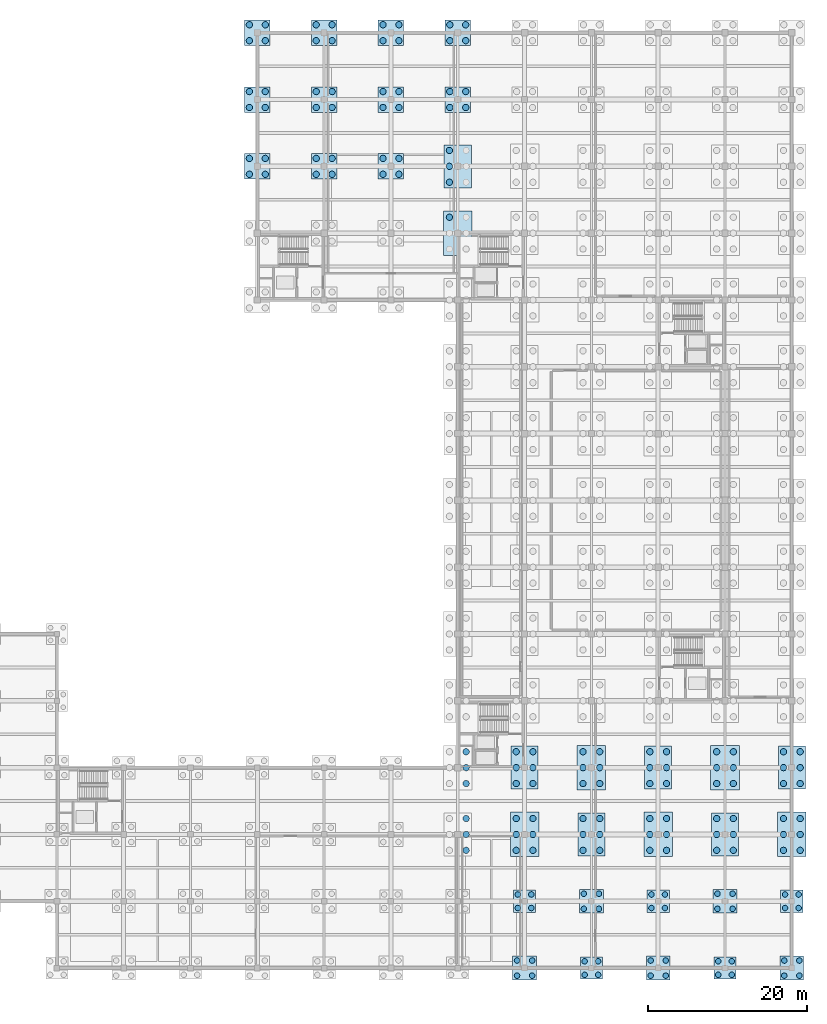
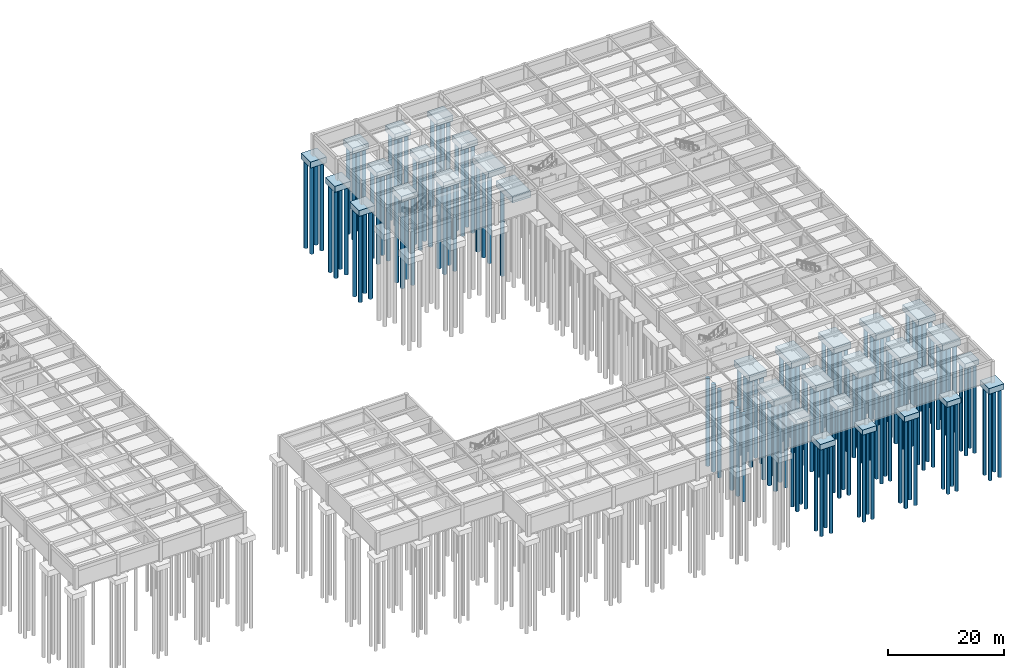
# One storey, part 4 of 33: 154 piles, 33 footings.
"""IFC4 building model written with IfcOpenShell, lengths in metres."""

from ifc_helpers import new_model, si_unit, direction, frame, origin, origin_2d, place, context, subcontext, project, spatial, rectangle, circle, extrude, material, material_profile, profile_set, type_object, element, save


model = new_model("IFC4")

# Units and contexts
model_context = context("Model", 3, precision=1e-05, world=origin(), true_north=direction((0.0, 1.0)))
body_context = subcontext(model_context, "Body", "Model", "MODEL_VIEW")
ifc_project = project(units=[si_unit("LENGTHUNIT", "METRE"), si_unit("AREAUNIT", "SQUARE_METRE"), si_unit("VOLUMEUNIT", "CUBIC_METRE"), si_unit("PLANEANGLEUNIT", "RADIAN"), si_unit("MASSUNIT", "GRAM", prefix="KILO")], contexts=[model_context])

# Site, building, storey
site_placement = place(None, origin())
site = spatial("IfcSite", under=ifc_project, at=site_placement, CompositionType="ELEMENT")
building_placement = place(site_placement, origin())
building = spatial("IfcBuilding", under=site, at=building_placement, Name="Kveldsbrygga Polytechnic", CompositionType="ELEMENT")
storey_placement = place(building_placement, frame((0.0, 0.0, -4.419921875)))
storey = spatial("IfcBuildingStorey", under=building, at=storey_placement, Name="B1", CompositionType="ELEMENT", Elevation=-4.419921875)

# Footings
ifc_material = material(Name="Concrete C45/55", Category="concrete")
footing_type_1 = type_object("IfcFootingType", Name="PC-4P-LRG", PredefinedType="PILE_CAP", material=ifc_material)
for number, where, z_axis, x_axis, name in (
    (1, (100.800048828125, 100.800048828125, -1.650146484375), (0.0, 0.0, 1.0), (1.0, 0.0, 0.0), "Foundation FND-12-12"),
    (2, (100.800048828125, 109.199951171875, -1.650146484375), (0.0, 0.0, 1.0), (1.0, 0.0, 0.0), "Foundation FND-12-13"),
    (3, (100.800048828125, 117.60009765625, -1.650146484375), (0.0, 0.0, 1.0), (1.0, 0.0, 0.0), "Foundation FND-12-14"),
    (4, (109.199951171875, 100.800048828125, -1.650146484375), (0.0, 0.0, 1.0), (1.0, 0.0, 0.0), "Foundation FND-13-12"),
    (5, (109.199951171875, 109.199951171875, -1.650146484375), (0.0, 0.0, 1.0), (1.0, 0.0, 0.0), "Foundation FND-13-13"),
    (6, (109.199951171875, 117.60009765625, -1.650146484375), (0.0, 0.0, 1.0), (1.0, 0.0, 0.0), "Foundation FND-13-14"),
    (7, (117.60009765625, 100.800048828125, -1.650146484375), (0.0, 0.0, 1.0), (1.0, 0.0, 0.0), "Foundation FND-14-12"),
    (8, (117.60009765625, 109.199951171875, -1.650146484375), (0.0, 0.0, 1.0), (1.0, 0.0, 0.0), "Foundation FND-14-13"),
    (9, (117.60009765625, 117.60009765625, -1.650146484375), (0.0, 0.0, 1.0), (1.0, 0.0, 0.0), "Foundation FND-14-14"),
    (10, (126.0, 109.199951171875, -1.650146484375), (0.0, 0.0, 1.0), (1.0, 0.0, 0.0), "Foundation FND-15-13"),
    (11, (126.0, 117.60009765625, -1.650146484375), (0.0, 0.0, 1.0), (1.0, 0.0, 0.0), "Foundation FND-15-14"),
):
    element("IfcFooting", number, at=place(storey_placement, frame(where, z_axis=z_axis, x_axis=x_axis)), inside=storey, type_object=footing_type_1, Name=name, PredefinedType="PILE_CAP", context=body_context, shape_type="SweptSolid", body=[
        extrude(rectangle(XDim=3.199951171875, YDim=3.199951171875, at=origin_2d()), origin(), (0.0, 0.0, 1.0), 1.25),
    ])
footing_type_2 = type_object("IfcFootingType", Name="PC-4P-MED", PredefinedType="PILE_CAP", material=ifc_material)
for number, where, z_axis, x_axis, name in (
    (12, (134.39990234375, 8.39990234375, -1.500244140625), (0.0, 0.0, 1.0), (1.0, 0.0, 0.0), "Foundation FND-16-01"),
    (13, (142.800048828125, 0.0, -1.500244140625), (0.0, 0.0, 1.0), (1.0, 0.0, 0.0), "Foundation FND-17-00"),
    (14, (151.199951171875, 8.39990234375, -1.500244140625), (0.0, 0.0, 1.0), (1.0, 0.0, 0.0), "Foundation FND-18-01"),
    (15, (159.60009765625, 0.0, -1.500244140625), (0.0, 0.0, 1.0), (1.0, 0.0, 0.0), "Foundation FND-19-00"),
    (16, (168.0, 8.39990234375, -1.500244140625), (0.0, 0.0, 1.0), (1.0, 0.0, 0.0), "Foundation FND-20-01"),
):
    element("IfcFooting", number, at=place(storey_placement, frame(where, z_axis=z_axis, x_axis=x_axis)), inside=storey, type_object=footing_type_2, Name=name, PredefinedType="PILE_CAP", context=body_context, shape_type="SweptSolid", body=[
        extrude(rectangle(XDim=2.800048828125, YDim=2.800048828125, at=origin_2d()), origin(), (0.0, 0.0, 1.0), 1.10009765625),
    ])
footing_type_3 = type_object("IfcFootingType", Name="PC-4P-STD", PredefinedType="PILE_CAP", material=ifc_material)
for number, where, z_axis, x_axis, name in (
    (17, (134.39990234375, 0.0, -1.60009765625), (0.0, 0.0, 1.0), (1.0, 0.0, 0.0), "Foundation FND-16-00"),
    (18, (142.800048828125, 8.39990234375, -1.60009765625), (0.0, 0.0, 1.0), (1.0, 0.0, 0.0), "Foundation FND-17-01"),
    (19, (151.199951171875, 0.0, -1.60009765625), (0.0, 0.0, 1.0), (1.0, 0.0, 0.0), "Foundation FND-18-00"),
    (20, (159.60009765625, 8.39990234375, -1.60009765625), (0.0, 0.0, 1.0), (1.0, 0.0, 0.0), "Foundation FND-19-01"),
    (21, (168.0, 0.0, -1.60009765625), (0.0, 0.0, 1.0), (1.0, 0.0, 0.0), "Foundation FND-20-00"),
):
    element("IfcFooting", number, at=place(storey_placement, frame(where, z_axis=z_axis, x_axis=x_axis)), inside=storey, type_object=footing_type_3, Name=name, PredefinedType="PILE_CAP", context=body_context, shape_type="SweptSolid", body=[
        extrude(rectangle(XDim=3.0, YDim=3.0, at=origin_2d()), origin(), (0.0, 0.0, 1.0), 1.199951171875),
    ])
footing_type_4 = type_object("IfcFootingType", Name="PC-6P-CORE", PredefinedType="PILE_CAP", material=ifc_material)
for number, where, z_axis, x_axis, name in (
    (22, (126.0, 92.39990234375, -1.750244140625), (0.0, 0.0, 1.0), (1.0, 0.0, 0.0), "Foundation FND-15-11"),
    (23, (134.39990234375, 16.800048828125, -1.750244140625), (0.0, 0.0, 1.0), (1.0, 0.0, 0.0), "Foundation FND-16-02"),
    (24, (142.800048828125, 25.199951171875, -1.750244140625), (0.0, 0.0, 1.0), (1.0, 0.0, 0.0), "Foundation FND-17-03"),
    (25, (151.199951171875, 16.800048828125, -1.750244140625), (0.0, 0.0, 1.0), (1.0, 0.0, 0.0), "Foundation FND-18-02"),
    (26, (159.60009765625, 25.199951171875, -1.750244140625), (0.0, 0.0, 1.0), (1.0, 0.0, 0.0), "Foundation FND-19-03"),
    (27, (168.0, 16.800048828125, -1.750244140625), (0.0, 0.0, 1.0), (1.0, 0.0, 0.0), "Foundation FND-20-02"),
):
    element("IfcFooting", number, at=place(storey_placement, frame(where, z_axis=z_axis, x_axis=x_axis)), inside=storey, type_object=footing_type_4, Name=name, PredefinedType="PILE_CAP", context=body_context, shape_type="SweptSolid", body=[
        extrude(rectangle(XDim=3.60009765625, YDim=5.60009765625, at=origin_2d()), origin(), (0.0, 0.0, 1.0), 1.35009765625),
    ])
footing_type_5 = type_object("IfcFootingType", Name="PC-6P-HEAVY", PredefinedType="PILE_CAP", material=ifc_material)
for number, where, z_axis, x_axis, name in (
    (28, (126.0, 100.800048828125, -1.7001953125), (0.0, 0.0, 1.0), (1.0, 0.0, 0.0), "Foundation FND-15-12"),
    (29, (134.39990234375, 25.199951171875, -1.7001953125), (0.0, 0.0, 1.0), (1.0, 0.0, 0.0), "Foundation FND-16-03"),
    (30, (142.800048828125, 16.800048828125, -1.7001953125), (0.0, 0.0, 1.0), (1.0, 0.0, 0.0), "Foundation FND-17-02"),
    (31, (151.199951171875, 25.199951171875, -1.7001953125), (0.0, 0.0, 1.0), (1.0, 0.0, 0.0), "Foundation FND-18-03"),
    (32, (159.60009765625, 16.800048828125, -1.7001953125), (0.0, 0.0, 1.0), (1.0, 0.0, 0.0), "Foundation FND-19-02"),
    (33, (168.0, 25.199951171875, -1.7001953125), (0.0, 0.0, 1.0), (1.0, 0.0, 0.0), "Foundation FND-20-03"),
):
    element("IfcFooting", number, at=place(storey_placement, frame(where, z_axis=z_axis, x_axis=x_axis)), inside=storey, type_object=footing_type_5, Name=name, PredefinedType="PILE_CAP", context=body_context, shape_type="SweptSolid", body=[
        extrude(rectangle(XDim=3.39990234375, YDim=5.39990234375, at=origin_2d()), origin(), (0.0, 0.0, 1.0), 1.300048828125),
    ])

# Piles
ifc_material_profile_1 = material_profile(ifc_material, circle(Radius=0.35009765625, at=origin_2d()), Name="PILE D700")
ifc_profile_set_1 = profile_set([ifc_material_profile_1], Name="Concrete C45/55")
pile_type_1 = type_object("IfcPileType", Name="PILE-D700", PredefinedType="BORED", material=ifc_profile_set_1)
for number, where, z_axis, x_axis, name in (
    (34, (133.449951171875, -0.949951171875, -1.4501953125), (0.0, 0.0, -1.0), (1.0, 0.0, 0.0), "Bored Pile PIL-16-00-1"),
    (35, (135.35009765625, -0.949951171875, -1.4501953125), (0.0, 0.0, -1.0), (1.0, 0.0, 0.0), "Bored Pile PIL-16-00-2"),
    (36, (133.449951171875, 0.949951171875, -1.4501953125), (0.0, 0.0, -1.0), (1.0, 0.0, 0.0), "Bored Pile PIL-16-00-3"),
    (37, (135.35009765625, 0.949951171875, -1.4501953125), (0.0, 0.0, -1.0), (1.0, 0.0, 0.0), "Bored Pile PIL-16-00-4"),
):
    element("IfcPile", number, at=place(storey_placement, frame(where, z_axis=z_axis, x_axis=x_axis)), inside=storey, type_object=pile_type_1, Name=name, PredefinedType="BORED", context=body_context, shape_type="SweptSolid", body=[
        extrude(circle(Radius=0.35009765625, at=origin_2d()), origin(), (0.0, 0.0, 1.0), 18.6298828125),
    ])
for number, where, z_axis, x_axis, name in (
    (38, (133.550048828125, 7.550048828125, -1.35009765625), (0.0, 0.0, -1.0), (1.0, 0.0, 0.0), "Bored Pile PIL-16-01-1"),
    (39, (135.25, 7.550048828125, -1.35009765625), (0.0, 0.0, -1.0), (1.0, 0.0, 0.0), "Bored Pile PIL-16-01-2"),
    (40, (133.550048828125, 9.25, -1.35009765625), (0.0, 0.0, -1.0), (1.0, 0.0, 0.0), "Bored Pile PIL-16-01-3"),
    (41, (135.25, 9.25, -1.35009765625), (0.0, 0.0, -1.0), (1.0, 0.0, 0.0), "Bored Pile PIL-16-01-4"),
    (42, (141.949951171875, -0.85009765625, -1.35009765625), (0.0, 0.0, -1.0), (1.0, 0.0, 0.0), "Bored Pile PIL-17-00-1"),
    (43, (143.64990234375, -0.85009765625, -1.35009765625), (0.0, 0.0, -1.0), (1.0, 0.0, 0.0), "Bored Pile PIL-17-00-2"),
    (44, (141.949951171875, 0.85009765625, -1.35009765625), (0.0, 0.0, -1.0), (1.0, 0.0, 0.0), "Bored Pile PIL-17-00-3"),
    (45, (143.64990234375, 0.85009765625, -1.35009765625), (0.0, 0.0, -1.0), (1.0, 0.0, 0.0), "Bored Pile PIL-17-00-4"),
):
    element("IfcPile", number, at=place(storey_placement, frame(where, z_axis=z_axis, x_axis=x_axis)), inside=storey, type_object=pile_type_1, Name=name, PredefinedType="BORED", context=body_context, shape_type="SweptSolid", body=[
        extrude(circle(Radius=0.35009765625, at=origin_2d()), origin(), (0.0, 0.0, 1.0), 18.72998046875),
    ])
for number, where, z_axis, x_axis, name in (
    (46, (141.85009765625, 7.449951171875, -1.4501953125), (0.0, 0.0, -1.0), (1.0, 0.0, 0.0), "Bored Pile PIL-17-01-1"),
    (47, (143.75, 7.449951171875, -1.4501953125), (0.0, 0.0, -1.0), (1.0, 0.0, 0.0), "Bored Pile PIL-17-01-2"),
    (48, (141.85009765625, 9.35009765625, -1.4501953125), (0.0, 0.0, -1.0), (1.0, 0.0, 0.0), "Bored Pile PIL-17-01-3"),
    (49, (143.75, 9.35009765625, -1.4501953125), (0.0, 0.0, -1.0), (1.0, 0.0, 0.0), "Bored Pile PIL-17-01-4"),
    (50, (150.25, -0.949951171875, -1.4501953125), (0.0, 0.0, -1.0), (1.0, 0.0, 0.0), "Bored Pile PIL-18-00-1"),
    (51, (152.14990234375, -0.949951171875, -1.4501953125), (0.0, 0.0, -1.0), (1.0, 0.0, 0.0), "Bored Pile PIL-18-00-2"),
    (52, (150.25, 0.949951171875, -1.4501953125), (0.0, 0.0, -1.0), (1.0, 0.0, 0.0), "Bored Pile PIL-18-00-3"),
    (53, (152.14990234375, 0.949951171875, -1.4501953125), (0.0, 0.0, -1.0), (1.0, 0.0, 0.0), "Bored Pile PIL-18-00-4"),
):
    element("IfcPile", number, at=place(storey_placement, frame(where, z_axis=z_axis, x_axis=x_axis)), inside=storey, type_object=pile_type_1, Name=name, PredefinedType="BORED", context=body_context, shape_type="SweptSolid", body=[
        extrude(circle(Radius=0.35009765625, at=origin_2d()), origin(), (0.0, 0.0, 1.0), 18.6298828125),
    ])
for number, where, z_axis, x_axis, name in (
    (54, (150.35009765625, 7.550048828125, -1.35009765625), (0.0, 0.0, -1.0), (1.0, 0.0, 0.0), "Bored Pile PIL-18-01-1"),
    (55, (152.050048828125, 7.550048828125, -1.35009765625), (0.0, 0.0, -1.0), (1.0, 0.0, 0.0), "Bored Pile PIL-18-01-2"),
    (56, (150.35009765625, 9.25, -1.35009765625), (0.0, 0.0, -1.0), (1.0, 0.0, 0.0), "Bored Pile PIL-18-01-3"),
    (57, (152.050048828125, 9.25, -1.35009765625), (0.0, 0.0, -1.0), (1.0, 0.0, 0.0), "Bored Pile PIL-18-01-4"),
    (58, (158.75, -0.85009765625, -1.35009765625), (0.0, 0.0, -1.0), (1.0, 0.0, 0.0), "Bored Pile PIL-19-00-1"),
    (59, (160.449951171875, -0.85009765625, -1.35009765625), (0.0, 0.0, -1.0), (1.0, 0.0, 0.0), "Bored Pile PIL-19-00-2"),
    (60, (158.75, 0.85009765625, -1.35009765625), (0.0, 0.0, -1.0), (1.0, 0.0, 0.0), "Bored Pile PIL-19-00-3"),
    (61, (160.449951171875, 0.85009765625, -1.35009765625), (0.0, 0.0, -1.0), (1.0, 0.0, 0.0), "Bored Pile PIL-19-00-4"),
):
    element("IfcPile", number, at=place(storey_placement, frame(where, z_axis=z_axis, x_axis=x_axis)), inside=storey, type_object=pile_type_1, Name=name, PredefinedType="BORED", context=body_context, shape_type="SweptSolid", body=[
        extrude(circle(Radius=0.35009765625, at=origin_2d()), origin(), (0.0, 0.0, 1.0), 18.72998046875),
    ])
for number, where, z_axis, x_axis, name in (
    (62, (158.64990234375, 7.449951171875, -1.4501953125), (0.0, 0.0, -1.0), (1.0, 0.0, 0.0), "Bored Pile PIL-19-01-1"),
    (63, (160.550048828125, 7.449951171875, -1.4501953125), (0.0, 0.0, -1.0), (1.0, 0.0, 0.0), "Bored Pile PIL-19-01-2"),
    (64, (158.64990234375, 9.35009765625, -1.4501953125), (0.0, 0.0, -1.0), (1.0, 0.0, 0.0), "Bored Pile PIL-19-01-3"),
    (65, (160.550048828125, 9.35009765625, -1.4501953125), (0.0, 0.0, -1.0), (1.0, 0.0, 0.0), "Bored Pile PIL-19-01-4"),
    (66, (167.050048828125, -0.949951171875, -1.4501953125), (0.0, 0.0, -1.0), (1.0, 0.0, 0.0), "Bored Pile PIL-20-00-1"),
    (67, (168.949951171875, -0.949951171875, -1.4501953125), (0.0, 0.0, -1.0), (1.0, 0.0, 0.0), "Bored Pile PIL-20-00-2"),
    (68, (167.050048828125, 0.949951171875, -1.4501953125), (0.0, 0.0, -1.0), (1.0, 0.0, 0.0), "Bored Pile PIL-20-00-3"),
    (69, (168.949951171875, 0.949951171875, -1.4501953125), (0.0, 0.0, -1.0), (1.0, 0.0, 0.0), "Bored Pile PIL-20-00-4"),
):
    element("IfcPile", number, at=place(storey_placement, frame(where, z_axis=z_axis, x_axis=x_axis)), inside=storey, type_object=pile_type_1, Name=name, PredefinedType="BORED", context=body_context, shape_type="SweptSolid", body=[
        extrude(circle(Radius=0.35009765625, at=origin_2d()), origin(), (0.0, 0.0, 1.0), 18.6298828125),
    ])
for number, where, z_axis, x_axis, name in (
    (70, (167.14990234375, 7.550048828125, -1.35009765625), (0.0, 0.0, -1.0), (1.0, 0.0, 0.0), "Bored Pile PIL-20-01-1"),
    (71, (168.85009765625, 7.550048828125, -1.35009765625), (0.0, 0.0, -1.0), (1.0, 0.0, 0.0), "Bored Pile PIL-20-01-2"),
    (72, (167.14990234375, 9.25, -1.35009765625), (0.0, 0.0, -1.0), (1.0, 0.0, 0.0), "Bored Pile PIL-20-01-3"),
    (73, (168.85009765625, 9.25, -1.35009765625), (0.0, 0.0, -1.0), (1.0, 0.0, 0.0), "Bored Pile PIL-20-01-4"),
):
    element("IfcPile", number, at=place(storey_placement, frame(where, z_axis=z_axis, x_axis=x_axis)), inside=storey, type_object=pile_type_1, Name=name, PredefinedType="BORED", context=body_context, shape_type="SweptSolid", body=[
        extrude(circle(Radius=0.35009765625, at=origin_2d()), origin(), (0.0, 0.0, 1.0), 18.72998046875),
    ])
ifc_material_profile_2 = material_profile(ifc_material, circle(Radius=0.39990234375, at=origin_2d()), Name="PILE D800")
ifc_profile_set_2 = profile_set([ifc_material_profile_2], Name="Concrete C45/55")
pile_type_2 = type_object("IfcPileType", Name="PILE-D800", PredefinedType="BORED", material=ifc_profile_set_2)
for number, where, z_axis, x_axis, name in (
    (74, (99.800048828125, 99.800048828125, -1.5), (0.0, 0.0, -1.0), (1.0, 0.0, 0.0), "Bored Pile PIL-12-12-1"),
    (75, (101.800048828125, 99.800048828125, -1.5), (0.0, 0.0, -1.0), (1.0, 0.0, 0.0), "Bored Pile PIL-12-12-2"),
    (76, (99.800048828125, 101.800048828125, -1.5), (0.0, 0.0, -1.0), (1.0, 0.0, 0.0), "Bored Pile PIL-12-12-3"),
    (77, (101.800048828125, 101.800048828125, -1.5), (0.0, 0.0, -1.0), (1.0, 0.0, 0.0), "Bored Pile PIL-12-12-4"),
    (78, (99.800048828125, 108.199951171875, -1.5), (0.0, 0.0, -1.0), (1.0, 0.0, 0.0), "Bored Pile PIL-12-13-1"),
    (79, (101.800048828125, 108.199951171875, -1.5), (0.0, 0.0, -1.0), (1.0, 0.0, 0.0), "Bored Pile PIL-12-13-2"),
    (80, (99.800048828125, 110.199951171875, -1.5), (0.0, 0.0, -1.0), (1.0, 0.0, 0.0), "Bored Pile PIL-12-13-3"),
    (81, (101.800048828125, 110.199951171875, -1.5), (0.0, 0.0, -1.0), (1.0, 0.0, 0.0), "Bored Pile PIL-12-13-4"),
    (82, (99.800048828125, 116.60009765625, -1.5), (0.0, 0.0, -1.0), (1.0, 0.0, 0.0), "Bored Pile PIL-12-14-1"),
    (83, (101.800048828125, 116.60009765625, -1.5), (0.0, 0.0, -1.0), (1.0, 0.0, 0.0), "Bored Pile PIL-12-14-2"),
    (84, (99.800048828125, 118.60009765625, -1.5), (0.0, 0.0, -1.0), (1.0, 0.0, 0.0), "Bored Pile PIL-12-14-3"),
    (85, (101.800048828125, 118.60009765625, -1.5), (0.0, 0.0, -1.0), (1.0, 0.0, 0.0), "Bored Pile PIL-12-14-4"),
    (86, (108.199951171875, 99.800048828125, -1.5), (0.0, 0.0, -1.0), (1.0, 0.0, 0.0), "Bored Pile PIL-13-12-1"),
    (87, (110.199951171875, 99.800048828125, -1.5), (0.0, 0.0, -1.0), (1.0, 0.0, 0.0), "Bored Pile PIL-13-12-2"),
    (88, (108.199951171875, 101.800048828125, -1.5), (0.0, 0.0, -1.0), (1.0, 0.0, 0.0), "Bored Pile PIL-13-12-3"),
    (89, (110.199951171875, 101.800048828125, -1.5), (0.0, 0.0, -1.0), (1.0, 0.0, 0.0), "Bored Pile PIL-13-12-4"),
    (90, (108.199951171875, 108.199951171875, -1.5), (0.0, 0.0, -1.0), (1.0, 0.0, 0.0), "Bored Pile PIL-13-13-1"),
    (91, (110.199951171875, 108.199951171875, -1.5), (0.0, 0.0, -1.0), (1.0, 0.0, 0.0), "Bored Pile PIL-13-13-2"),
    (92, (108.199951171875, 110.199951171875, -1.5), (0.0, 0.0, -1.0), (1.0, 0.0, 0.0), "Bored Pile PIL-13-13-3"),
    (93, (110.199951171875, 110.199951171875, -1.5), (0.0, 0.0, -1.0), (1.0, 0.0, 0.0), "Bored Pile PIL-13-13-4"),
    (94, (108.199951171875, 116.60009765625, -1.5), (0.0, 0.0, -1.0), (1.0, 0.0, 0.0), "Bored Pile PIL-13-14-1"),
    (95, (110.199951171875, 116.60009765625, -1.5), (0.0, 0.0, -1.0), (1.0, 0.0, 0.0), "Bored Pile PIL-13-14-2"),
    (96, (108.199951171875, 118.60009765625, -1.5), (0.0, 0.0, -1.0), (1.0, 0.0, 0.0), "Bored Pile PIL-13-14-3"),
    (97, (110.199951171875, 118.60009765625, -1.5), (0.0, 0.0, -1.0), (1.0, 0.0, 0.0), "Bored Pile PIL-13-14-4"),
    (98, (116.60009765625, 99.800048828125, -1.5), (0.0, 0.0, -1.0), (1.0, 0.0, 0.0), "Bored Pile PIL-14-12-1"),
    (99, (118.60009765625, 99.800048828125, -1.5), (0.0, 0.0, -1.0), (1.0, 0.0, 0.0), "Bored Pile PIL-14-12-2"),
    (100, (116.60009765625, 101.800048828125, -1.5), (0.0, 0.0, -1.0), (1.0, 0.0, 0.0), "Bored Pile PIL-14-12-3"),
    (101, (118.60009765625, 101.800048828125, -1.5), (0.0, 0.0, -1.0), (1.0, 0.0, 0.0), "Bored Pile PIL-14-12-4"),
    (102, (116.60009765625, 108.199951171875, -1.5), (0.0, 0.0, -1.0), (1.0, 0.0, 0.0), "Bored Pile PIL-14-13-1"),
    (103, (118.60009765625, 108.199951171875, -1.5), (0.0, 0.0, -1.0), (1.0, 0.0, 0.0), "Bored Pile PIL-14-13-2"),
    (104, (116.60009765625, 110.199951171875, -1.5), (0.0, 0.0, -1.0), (1.0, 0.0, 0.0), "Bored Pile PIL-14-13-3"),
    (105, (118.60009765625, 110.199951171875, -1.5), (0.0, 0.0, -1.0), (1.0, 0.0, 0.0), "Bored Pile PIL-14-13-4"),
    (106, (116.60009765625, 116.60009765625, -1.5), (0.0, 0.0, -1.0), (1.0, 0.0, 0.0), "Bored Pile PIL-14-14-1"),
    (107, (118.60009765625, 116.60009765625, -1.5), (0.0, 0.0, -1.0), (1.0, 0.0, 0.0), "Bored Pile PIL-14-14-2"),
    (108, (116.60009765625, 118.60009765625, -1.5), (0.0, 0.0, -1.0), (1.0, 0.0, 0.0), "Bored Pile PIL-14-14-3"),
    (109, (118.60009765625, 118.60009765625, -1.5), (0.0, 0.0, -1.0), (1.0, 0.0, 0.0), "Bored Pile PIL-14-14-4"),
):
    element("IfcPile", number, at=place(storey_placement, frame(where, z_axis=z_axis, x_axis=x_axis)), inside=storey, type_object=pile_type_2, Name=name, PredefinedType="BORED", context=body_context, shape_type="SweptSolid", body=[
        extrude(circle(Radius=0.39990234375, at=origin_2d()), origin(), (0.0, 0.0, 1.0), 18.580078125),
    ])
for number, where, z_axis, x_axis, name in (
    (110, (127.050048828125, 14.800048828125, -1.550048828125), (0.0, 0.0, -1.0), (1.0, 0.0, 0.0), "Bored Pile PIL-15-02-2"),
    (111, (127.050048828125, 16.800048828125, -1.550048828125), (0.0, 0.0, -1.0), (1.0, 0.0, 0.0), "Bored Pile PIL-15-02-4"),
    (112, (127.050048828125, 18.800048828125, -1.550048828125), (0.0, 0.0, -1.0), (1.0, 0.0, 0.0), "Bored Pile PIL-15-02-6"),
):
    element("IfcPile", number, at=place(storey_placement, frame(where, z_axis=z_axis, x_axis=x_axis)), inside=storey, type_object=pile_type_2, Name=name, PredefinedType="BORED", context=body_context, shape_type="SweptSolid", body=[
        extrude(circle(Radius=0.39990234375, at=origin_2d()), origin(), (0.0, 0.0, 1.0), 18.530029296875),
    ])
for number, where, z_axis, x_axis, name in (
    (113, (127.050048828125, 23.199951171875, -1.60009765625), (0.0, 0.0, -1.0), (1.0, 0.0, 0.0), "Bored Pile PIL-15-03-2"),
    (114, (127.050048828125, 25.199951171875, -1.60009765625), (0.0, 0.0, -1.0), (1.0, 0.0, 0.0), "Bored Pile PIL-15-03-4"),
    (115, (127.050048828125, 27.199951171875, -1.60009765625), (0.0, 0.0, -1.0), (1.0, 0.0, 0.0), "Bored Pile PIL-15-03-6"),
    (116, (124.949951171875, 94.39990234375, -1.60009765625), (0.0, 0.0, -1.0), (1.0, 0.0, 0.0), "Bored Pile PIL-15-11-5"),
):
    element("IfcPile", number, at=place(storey_placement, frame(where, z_axis=z_axis, x_axis=x_axis)), inside=storey, type_object=pile_type_2, Name=name, PredefinedType="BORED", context=body_context, shape_type="SweptSolid", body=[
        extrude(circle(Radius=0.39990234375, at=origin_2d()), origin(), (0.0, 0.0, 1.0), 18.47998046875),
    ])
for number, where, z_axis, x_axis, name in (
    (117, (124.949951171875, 98.800048828125, -1.550048828125), (0.0, 0.0, -1.0), (1.0, 0.0, 0.0), "Bored Pile PIL-15-12-1"),
    (118, (124.949951171875, 100.800048828125, -1.550048828125), (0.0, 0.0, -1.0), (1.0, 0.0, 0.0), "Bored Pile PIL-15-12-3"),
    (119, (124.949951171875, 102.800048828125, -1.550048828125), (0.0, 0.0, -1.0), (1.0, 0.0, 0.0), "Bored Pile PIL-15-12-5"),
):
    element("IfcPile", number, at=place(storey_placement, frame(where, z_axis=z_axis, x_axis=x_axis)), inside=storey, type_object=pile_type_2, Name=name, PredefinedType="BORED", context=body_context, shape_type="SweptSolid", body=[
        extrude(circle(Radius=0.39990234375, at=origin_2d()), origin(), (0.0, 0.0, 1.0), 18.530029296875),
    ])
for number, where, z_axis, x_axis, name in (
    (120, (125.0, 108.199951171875, -1.5), (0.0, 0.0, -1.0), (1.0, 0.0, 0.0), "Bored Pile PIL-15-13-1"),
    (121, (127.0, 108.199951171875, -1.5), (0.0, 0.0, -1.0), (1.0, 0.0, 0.0), "Bored Pile PIL-15-13-2"),
    (122, (125.0, 110.199951171875, -1.5), (0.0, 0.0, -1.0), (1.0, 0.0, 0.0), "Bored Pile PIL-15-13-3"),
    (123, (127.0, 110.199951171875, -1.5), (0.0, 0.0, -1.0), (1.0, 0.0, 0.0), "Bored Pile PIL-15-13-4"),
    (124, (125.0, 116.60009765625, -1.5), (0.0, 0.0, -1.0), (1.0, 0.0, 0.0), "Bored Pile PIL-15-14-1"),
    (125, (127.0, 116.60009765625, -1.5), (0.0, 0.0, -1.0), (1.0, 0.0, 0.0), "Bored Pile PIL-15-14-2"),
    (126, (125.0, 118.60009765625, -1.5), (0.0, 0.0, -1.0), (1.0, 0.0, 0.0), "Bored Pile PIL-15-14-3"),
    (127, (127.0, 118.60009765625, -1.5), (0.0, 0.0, -1.0), (1.0, 0.0, 0.0), "Bored Pile PIL-15-14-4"),
):
    element("IfcPile", number, at=place(storey_placement, frame(where, z_axis=z_axis, x_axis=x_axis)), inside=storey, type_object=pile_type_2, Name=name, PredefinedType="BORED", context=body_context, shape_type="SweptSolid", body=[
        extrude(circle(Radius=0.39990234375, at=origin_2d()), origin(), (0.0, 0.0, 1.0), 18.580078125),
    ])
for number, where, z_axis, x_axis, name in (
    (128, (133.35009765625, 14.800048828125, -1.60009765625), (0.0, 0.0, -1.0), (1.0, 0.0, 0.0), "Bored Pile PIL-16-02-1"),
    (129, (135.449951171875, 14.800048828125, -1.60009765625), (0.0, 0.0, -1.0), (1.0, 0.0, 0.0), "Bored Pile PIL-16-02-2"),
    (130, (133.35009765625, 16.800048828125, -1.60009765625), (0.0, 0.0, -1.0), (1.0, 0.0, 0.0), "Bored Pile PIL-16-02-3"),
    (131, (135.449951171875, 16.800048828125, -1.60009765625), (0.0, 0.0, -1.0), (1.0, 0.0, 0.0), "Bored Pile PIL-16-02-4"),
    (132, (133.35009765625, 18.800048828125, -1.60009765625), (0.0, 0.0, -1.0), (1.0, 0.0, 0.0), "Bored Pile PIL-16-02-5"),
    (133, (135.449951171875, 18.800048828125, -1.60009765625), (0.0, 0.0, -1.0), (1.0, 0.0, 0.0), "Bored Pile PIL-16-02-6"),
):
    element("IfcPile", number, at=place(storey_placement, frame(where, z_axis=z_axis, x_axis=x_axis)), inside=storey, type_object=pile_type_2, Name=name, PredefinedType="BORED", context=body_context, shape_type="SweptSolid", body=[
        extrude(circle(Radius=0.39990234375, at=origin_2d()), origin(), (0.0, 0.0, 1.0), 18.47998046875),
    ])
for number, where, z_axis, x_axis, name in (
    (134, (133.35009765625, 23.199951171875, -1.550048828125), (0.0, 0.0, -1.0), (1.0, 0.0, 0.0), "Bored Pile PIL-16-03-1"),
    (135, (135.449951171875, 23.199951171875, -1.550048828125), (0.0, 0.0, -1.0), (1.0, 0.0, 0.0), "Bored Pile PIL-16-03-2"),
    (136, (133.35009765625, 25.199951171875, -1.550048828125), (0.0, 0.0, -1.0), (1.0, 0.0, 0.0), "Bored Pile PIL-16-03-3"),
    (137, (135.449951171875, 25.199951171875, -1.550048828125), (0.0, 0.0, -1.0), (1.0, 0.0, 0.0), "Bored Pile PIL-16-03-4"),
    (138, (133.35009765625, 27.199951171875, -1.550048828125), (0.0, 0.0, -1.0), (1.0, 0.0, 0.0), "Bored Pile PIL-16-03-5"),
    (139, (135.449951171875, 27.199951171875, -1.550048828125), (0.0, 0.0, -1.0), (1.0, 0.0, 0.0), "Bored Pile PIL-16-03-6"),
    (140, (141.75, 14.800048828125, -1.550048828125), (0.0, 0.0, -1.0), (1.0, 0.0, 0.0), "Bored Pile PIL-17-02-1"),
    (141, (143.85009765625, 14.800048828125, -1.550048828125), (0.0, 0.0, -1.0), (1.0, 0.0, 0.0), "Bored Pile PIL-17-02-2"),
    (142, (141.75, 16.800048828125, -1.550048828125), (0.0, 0.0, -1.0), (1.0, 0.0, 0.0), "Bored Pile PIL-17-02-3"),
    (143, (143.85009765625, 16.800048828125, -1.550048828125), (0.0, 0.0, -1.0), (1.0, 0.0, 0.0), "Bored Pile PIL-17-02-4"),
    (144, (141.75, 18.800048828125, -1.550048828125), (0.0, 0.0, -1.0), (1.0, 0.0, 0.0), "Bored Pile PIL-17-02-5"),
    (145, (143.85009765625, 18.800048828125, -1.550048828125), (0.0, 0.0, -1.0), (1.0, 0.0, 0.0), "Bored Pile PIL-17-02-6"),
):
    element("IfcPile", number, at=place(storey_placement, frame(where, z_axis=z_axis, x_axis=x_axis)), inside=storey, type_object=pile_type_2, Name=name, PredefinedType="BORED", context=body_context, shape_type="SweptSolid", body=[
        extrude(circle(Radius=0.39990234375, at=origin_2d()), origin(), (0.0, 0.0, 1.0), 18.530029296875),
    ])
for number, where, z_axis, x_axis, name in (
    (146, (141.75, 23.199951171875, -1.60009765625), (0.0, 0.0, -1.0), (1.0, 0.0, 0.0), "Bored Pile PIL-17-03-1"),
    (147, (143.85009765625, 23.199951171875, -1.60009765625), (0.0, 0.0, -1.0), (1.0, 0.0, 0.0), "Bored Pile PIL-17-03-2"),
    (148, (141.75, 25.199951171875, -1.60009765625), (0.0, 0.0, -1.0), (1.0, 0.0, 0.0), "Bored Pile PIL-17-03-3"),
    (149, (143.85009765625, 25.199951171875, -1.60009765625), (0.0, 0.0, -1.0), (1.0, 0.0, 0.0), "Bored Pile PIL-17-03-4"),
    (150, (141.75, 27.199951171875, -1.60009765625), (0.0, 0.0, -1.0), (1.0, 0.0, 0.0), "Bored Pile PIL-17-03-5"),
    (151, (143.85009765625, 27.199951171875, -1.60009765625), (0.0, 0.0, -1.0), (1.0, 0.0, 0.0), "Bored Pile PIL-17-03-6"),
    (152, (150.14990234375, 14.800048828125, -1.60009765625), (0.0, 0.0, -1.0), (1.0, 0.0, 0.0), "Bored Pile PIL-18-02-1"),
    (153, (152.25, 14.800048828125, -1.60009765625), (0.0, 0.0, -1.0), (1.0, 0.0, 0.0), "Bored Pile PIL-18-02-2"),
    (154, (150.14990234375, 16.800048828125, -1.60009765625), (0.0, 0.0, -1.0), (1.0, 0.0, 0.0), "Bored Pile PIL-18-02-3"),
    (155, (152.25, 16.800048828125, -1.60009765625), (0.0, 0.0, -1.0), (1.0, 0.0, 0.0), "Bored Pile PIL-18-02-4"),
    (156, (150.14990234375, 18.800048828125, -1.60009765625), (0.0, 0.0, -1.0), (1.0, 0.0, 0.0), "Bored Pile PIL-18-02-5"),
    (157, (152.25, 18.800048828125, -1.60009765625), (0.0, 0.0, -1.0), (1.0, 0.0, 0.0), "Bored Pile PIL-18-02-6"),
):
    element("IfcPile", number, at=place(storey_placement, frame(where, z_axis=z_axis, x_axis=x_axis)), inside=storey, type_object=pile_type_2, Name=name, PredefinedType="BORED", context=body_context, shape_type="SweptSolid", body=[
        extrude(circle(Radius=0.39990234375, at=origin_2d()), origin(), (0.0, 0.0, 1.0), 18.47998046875),
    ])
for number, where, z_axis, x_axis, name in (
    (158, (150.14990234375, 23.199951171875, -1.550048828125), (0.0, 0.0, -1.0), (1.0, 0.0, 0.0), "Bored Pile PIL-18-03-1"),
    (159, (152.25, 23.199951171875, -1.550048828125), (0.0, 0.0, -1.0), (1.0, 0.0, 0.0), "Bored Pile PIL-18-03-2"),
    (160, (150.14990234375, 25.199951171875, -1.550048828125), (0.0, 0.0, -1.0), (1.0, 0.0, 0.0), "Bored Pile PIL-18-03-3"),
    (161, (152.25, 25.199951171875, -1.550048828125), (0.0, 0.0, -1.0), (1.0, 0.0, 0.0), "Bored Pile PIL-18-03-4"),
    (162, (150.14990234375, 27.199951171875, -1.550048828125), (0.0, 0.0, -1.0), (1.0, 0.0, 0.0), "Bored Pile PIL-18-03-5"),
    (163, (152.25, 27.199951171875, -1.550048828125), (0.0, 0.0, -1.0), (1.0, 0.0, 0.0), "Bored Pile PIL-18-03-6"),
    (164, (158.550048828125, 14.800048828125, -1.550048828125), (0.0, 0.0, -1.0), (1.0, 0.0, 0.0), "Bored Pile PIL-19-02-1"),
    (165, (160.64990234375, 14.800048828125, -1.550048828125), (0.0, 0.0, -1.0), (1.0, 0.0, 0.0), "Bored Pile PIL-19-02-2"),
    (166, (158.550048828125, 16.800048828125, -1.550048828125), (0.0, 0.0, -1.0), (1.0, 0.0, 0.0), "Bored Pile PIL-19-02-3"),
    (167, (160.64990234375, 16.800048828125, -1.550048828125), (0.0, 0.0, -1.0), (1.0, 0.0, 0.0), "Bored Pile PIL-19-02-4"),
    (168, (158.550048828125, 18.800048828125, -1.550048828125), (0.0, 0.0, -1.0), (1.0, 0.0, 0.0), "Bored Pile PIL-19-02-5"),
    (169, (160.64990234375, 18.800048828125, -1.550048828125), (0.0, 0.0, -1.0), (1.0, 0.0, 0.0), "Bored Pile PIL-19-02-6"),
):
    element("IfcPile", number, at=place(storey_placement, frame(where, z_axis=z_axis, x_axis=x_axis)), inside=storey, type_object=pile_type_2, Name=name, PredefinedType="BORED", context=body_context, shape_type="SweptSolid", body=[
        extrude(circle(Radius=0.39990234375, at=origin_2d()), origin(), (0.0, 0.0, 1.0), 18.530029296875),
    ])
for number, where, z_axis, x_axis, name in (
    (170, (158.550048828125, 23.199951171875, -1.60009765625), (0.0, 0.0, -1.0), (1.0, 0.0, 0.0), "Bored Pile PIL-19-03-1"),
    (171, (160.64990234375, 23.199951171875, -1.60009765625), (0.0, 0.0, -1.0), (1.0, 0.0, 0.0), "Bored Pile PIL-19-03-2"),
    (172, (158.550048828125, 25.199951171875, -1.60009765625), (0.0, 0.0, -1.0), (1.0, 0.0, 0.0), "Bored Pile PIL-19-03-3"),
    (173, (160.64990234375, 25.199951171875, -1.60009765625), (0.0, 0.0, -1.0), (1.0, 0.0, 0.0), "Bored Pile PIL-19-03-4"),
    (174, (158.550048828125, 27.199951171875, -1.60009765625), (0.0, 0.0, -1.0), (1.0, 0.0, 0.0), "Bored Pile PIL-19-03-5"),
    (175, (160.64990234375, 27.199951171875, -1.60009765625), (0.0, 0.0, -1.0), (1.0, 0.0, 0.0), "Bored Pile PIL-19-03-6"),
    (176, (166.949951171875, 14.800048828125, -1.60009765625), (0.0, 0.0, -1.0), (1.0, 0.0, 0.0), "Bored Pile PIL-20-02-1"),
    (177, (169.050048828125, 14.800048828125, -1.60009765625), (0.0, 0.0, -1.0), (1.0, 0.0, 0.0), "Bored Pile PIL-20-02-2"),
    (178, (166.949951171875, 16.800048828125, -1.60009765625), (0.0, 0.0, -1.0), (1.0, 0.0, 0.0), "Bored Pile PIL-20-02-3"),
    (179, (169.050048828125, 16.800048828125, -1.60009765625), (0.0, 0.0, -1.0), (1.0, 0.0, 0.0), "Bored Pile PIL-20-02-4"),
    (180, (166.949951171875, 18.800048828125, -1.60009765625), (0.0, 0.0, -1.0), (1.0, 0.0, 0.0), "Bored Pile PIL-20-02-5"),
    (181, (169.050048828125, 18.800048828125, -1.60009765625), (0.0, 0.0, -1.0), (1.0, 0.0, 0.0), "Bored Pile PIL-20-02-6"),
):
    element("IfcPile", number, at=place(storey_placement, frame(where, z_axis=z_axis, x_axis=x_axis)), inside=storey, type_object=pile_type_2, Name=name, PredefinedType="BORED", context=body_context, shape_type="SweptSolid", body=[
        extrude(circle(Radius=0.39990234375, at=origin_2d()), origin(), (0.0, 0.0, 1.0), 18.47998046875),
    ])
for number, where, z_axis, x_axis, name in (
    (182, (166.949951171875, 23.199951171875, -1.550048828125), (0.0, 0.0, -1.0), (1.0, 0.0, 0.0), "Bored Pile PIL-20-03-1"),
    (183, (169.050048828125, 23.199951171875, -1.550048828125), (0.0, 0.0, -1.0), (1.0, 0.0, 0.0), "Bored Pile PIL-20-03-2"),
    (184, (166.949951171875, 25.199951171875, -1.550048828125), (0.0, 0.0, -1.0), (1.0, 0.0, 0.0), "Bored Pile PIL-20-03-3"),
    (185, (169.050048828125, 25.199951171875, -1.550048828125), (0.0, 0.0, -1.0), (1.0, 0.0, 0.0), "Bored Pile PIL-20-03-4"),
    (186, (166.949951171875, 27.199951171875, -1.550048828125), (0.0, 0.0, -1.0), (1.0, 0.0, 0.0), "Bored Pile PIL-20-03-5"),
    (187, (169.050048828125, 27.199951171875, -1.550048828125), (0.0, 0.0, -1.0), (1.0, 0.0, 0.0), "Bored Pile PIL-20-03-6"),
):
    element("IfcPile", number, at=place(storey_placement, frame(where, z_axis=z_axis, x_axis=x_axis)), inside=storey, type_object=pile_type_2, Name=name, PredefinedType="BORED", context=body_context, shape_type="SweptSolid", body=[
        extrude(circle(Radius=0.39990234375, at=origin_2d()), origin(), (0.0, 0.0, 1.0), 18.530029296875),
    ])

save(model, "model.ifc")
